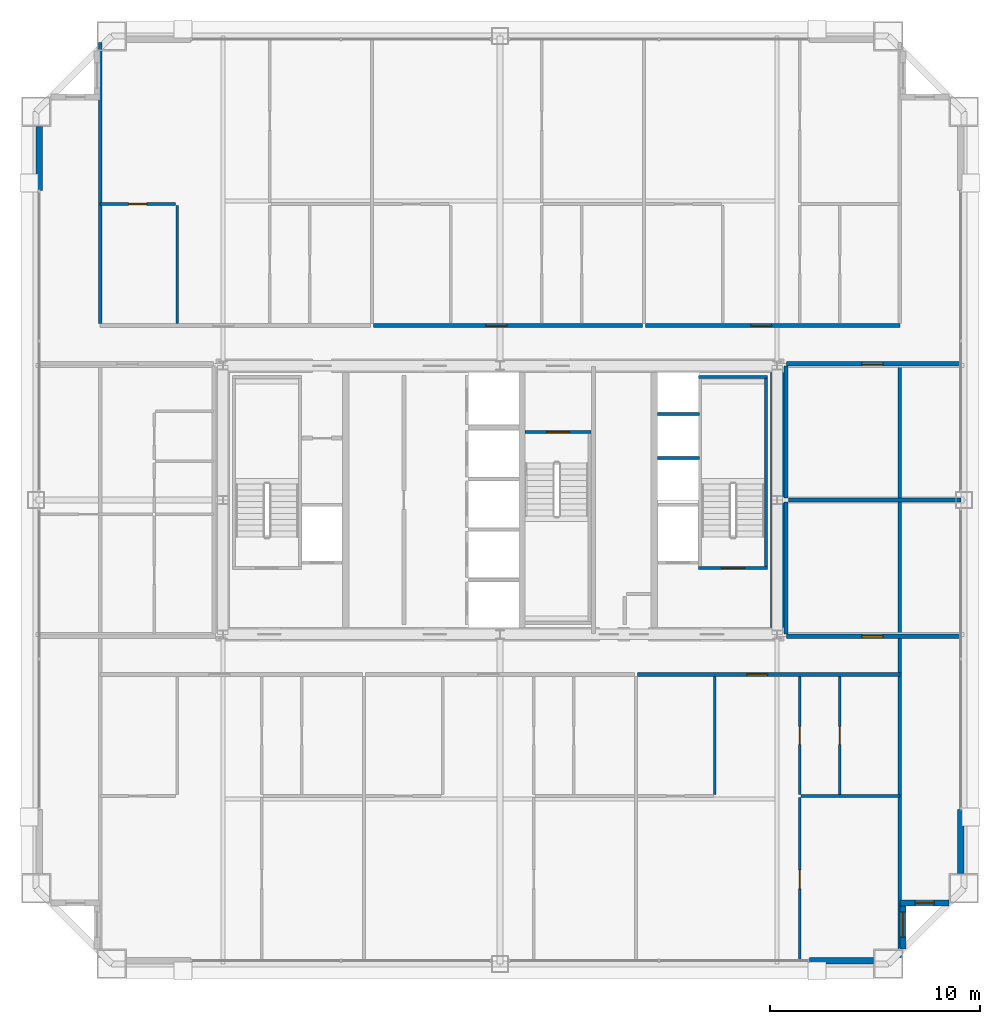
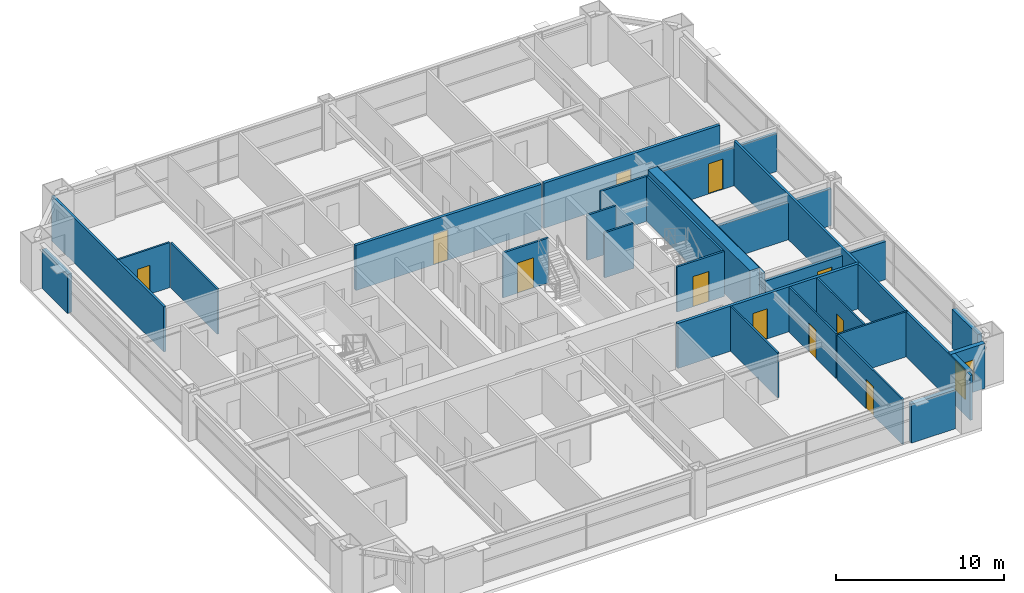
# One storey, part 35 of 38: 29 walls, 11 doors, 2 windows, 13 openings.
"""IFC4 building model written with IfcOpenShell, lengths in metres."""

from ifc_helpers import new_model, si_unit, direction, frame, frame_2d, origin, place, context, subcontext, project, spatial, rectangle, extrude, source, transform, mapped, material, layer, layer_set, type_object, element, fill, save


model = new_model("IFC4")

# Units and contexts
model_context = context("Model", 3, precision=1e-05, world=origin(), true_north=direction((0.0, 1.0)))
body_context = subcontext(model_context, "Body", "Model", "MODEL_VIEW")
ifc_project = project(units=[si_unit("LENGTHUNIT", "METRE"), si_unit("AREAUNIT", "SQUARE_METRE"), si_unit("VOLUMEUNIT", "CUBIC_METRE"), si_unit("PLANEANGLEUNIT", "RADIAN"), si_unit("MASSUNIT", "GRAM", prefix="KILO"), si_unit("THERMODYNAMICTEMPERATUREUNIT", "KELVIN"), si_unit("POWERUNIT", "WATT")], contexts=[model_context])

# Site, building, storey
site_placement = place(None, origin())
site = spatial("IfcSite", under=ifc_project, at=site_placement, CompositionType="ELEMENT")
building_placement = place(site_placement, origin())
building = spatial("IfcBuilding", under=site, at=building_placement, Name="Yuzanri Waterfront Tower", CompositionType="ELEMENT")
storey_placement = place(building_placement, frame((0.0, 0.0, 202.0)))
storey = spatial("IfcBuildingStorey", under=building, at=storey_placement, Name="L53", CompositionType="ELEMENT", Elevation=202.0)

# Wall, opening, door
ifc_material_1 = material(Name="Moisture-Resistant Gypsum Stud Wall", Category="gypsum")
ifc_layer_1 = layer(ifc_material_1, 0.1201171875)
ifc_layer_set_1 = layer_set([ifc_layer_1], Name="Moisture-Resistant Gypsum Stud Wall")
wall_type_1 = type_object("IfcWallType", Name="Bathroom and Kitchen Wet Partition 120", PredefinedType="PARTITIONING", material=ifc_layer_set_1)
wall_1_placement = place(storey_placement, frame((53.179931640625, 11.780029296875, 0.0), z_axis=(0.0, 0.0, 1.0), x_axis=(0.0, 1.0, 0.0)))
wall_1 = element("IfcWall", 1, at=wall_1_placement, inside=storey, type_object=wall_type_1, Name="L53 Partition UW-L53-RS3-SUB-2-W", PredefinedType="PARTITIONING", context=body_context, shape_type="SweptSolid", body=[
    extrude(rectangle(XDim=5.60986328125, YDim=0.1201171875, at=frame_2d((2.804931640625, 0.0))), origin(), (0.0, 0.0, 1.0), 3.280029296875),
])
opening_1_placement = place(wall_1_placement, frame((2.3798828125, 0.0, 0.0)))
opening_1 = element("IfcOpeningElement", 2, at=opening_1_placement, cuts=wall_1, Name="Opening ID-0850", PredefinedType="OPENING", context=body_context, shape_type="SweptSolid", body=[
    extrude(rectangle(XDim=0.85009765625, YDim=2.10009765625, at=frame_2d((0.425048828125, 1.050048828125))), frame((0.0, 0.074951171875, 0.0), z_axis=(0.0, -1.0, 0.0), x_axis=(1.0, 0.0, 0.0)), (0.0, 0.0, 1.0), 0.14990234375),
])
ifc_material_2 = material(Name="Moisture-Resistant Lacquered Timber", Category="wood")
door_type_1 = type_object("IfcDoorType", Name="En-Suite Bathroom and Kitchen Swing Door 850x2100", OperationType="NOTDEFINED", PredefinedType="DOOR", material=ifc_material_2)
shared_shape_1 = source(origin(), body_context, "Body", "SweptSolid", [
    extrude(rectangle(XDim=0.85009765625, YDim=2.10009765625, at=frame_2d((0.425048828125, 1.050048828125))), frame((0.0, 0.02490234375, 0.0), z_axis=(0.0, -1.0, 0.0), x_axis=(1.0, 0.0, 0.0)), (0.0, 0.0, 1.0), 0.050048828125),
])
door_1_placement = place(opening_1_placement, origin())
door_1 = element("IfcDoor", 3, at=door_1_placement, inside=storey, type_object=door_type_1, Name="L53 Suite Interior Room Door", OperationType="SINGLE_SWING_RIGHT", OverallHeight=2.10009765625, OverallWidth=0.85009765625, PredefinedType="DOOR", context=body_context, shape_type="MappedRepresentation", body=[
    mapped(shared_shape_1, transform((0.0, 0.0, 0.0), scale=1.0)),
])
fill(opening_1, door_1)

wall_2_placement = place(storey_placement, frame((51.26806640625, 3.85009765625, 0.0), z_axis=(0.0, 0.0, 1.0), x_axis=(0.0, 1.0, 0.0)))
wall_2 = element("IfcWall", 4, at=wall_2_placement, inside=storey, type_object=wall_type_1, Name="L53 Partition UW-L53-RS3-SUB-3-W", PredefinedType="PARTITIONING", context=body_context, shape_type="SweptSolid", body=[
    extrude(rectangle(XDim=7.77001953125, YDim=0.1201171875, at=frame_2d((3.885009765625, 0.0))), origin(), (0.0, 0.0, 1.0), 3.280029296875),
])
opening_2_placement = place(wall_2_placement, frame((3.43505859375, 0.0, 0.0)))
opening_2 = element("IfcOpeningElement", 5, at=opening_2_placement, cuts=wall_2, Name="Opening ID-0900", PredefinedType="OPENING", context=body_context, shape_type="SweptSolid", body=[
    extrude(rectangle(XDim=0.89990234375, YDim=2.14990234375, at=frame_2d((0.449951171875, 1.074951171875))), frame((0.0, 0.074951171875, 0.0), z_axis=(0.0, -1.0, 0.0), x_axis=(1.0, 0.0, 0.0)), (0.0, 0.0, 1.0), 0.14990234375),
])
ifc_material_3 = material(Name="Stained Walnut Veneer Timber", Category="wood")
door_type_2 = type_object("IfcDoorType", Name="Bedroom and Study Interior Swing Door 900x2150", OperationType="NOTDEFINED", PredefinedType="DOOR", material=ifc_material_3)
shared_shape_2 = source(origin(), body_context, "Body", "SweptSolid", [
    extrude(rectangle(XDim=0.89990234375, YDim=2.14990234375, at=frame_2d((0.449951171875, 1.074951171875))), frame((0.0, 0.02490234375, 0.0), z_axis=(0.0, -1.0, 0.0), x_axis=(1.0, 0.0, 0.0)), (0.0, 0.0, 1.0), 0.050048828125),
])
door_2_placement = place(opening_2_placement, origin())
door_2 = element("IfcDoor", 6, at=door_2_placement, inside=storey, type_object=door_type_2, Name="L53 Suite Interior Room Door", OperationType="SINGLE_SWING_LEFT", OverallHeight=2.14990234375, OverallWidth=0.89990234375, PredefinedType="DOOR", context=body_context, shape_type="MappedRepresentation", body=[
    mapped(shared_shape_2, transform((0.0, 0.0, 0.0), scale=1.0)),
])
fill(opening_2, door_2)

wall_3_placement = place(storey_placement, frame((51.26806640625, 11.780029296875, 0.0), z_axis=(0.0, 0.0, 1.0), x_axis=(0.0, 1.0, 0.0)))
wall_3 = element("IfcWall", 7, at=wall_3_placement, inside=storey, type_object=wall_type_1, Name="L53 Partition UW-L53-RS3-SUB-4-W", PredefinedType="PARTITIONING", context=body_context, shape_type="SweptSolid", body=[
    extrude(rectangle(XDim=5.60986328125, YDim=0.1201171875, at=frame_2d((2.804931640625, 0.0))), origin(), (0.0, 0.0, 1.0), 3.280029296875),
])
opening_3_placement = place(wall_3_placement, frame((2.3798828125, 0.0, 0.0)))
opening_3 = element("IfcOpeningElement", 8, at=opening_3_placement, cuts=wall_3, Name="Opening ID-0850", PredefinedType="OPENING", context=body_context, shape_type="SweptSolid", body=[
    extrude(rectangle(XDim=0.85009765625, YDim=2.10009765625, at=frame_2d((0.425048828125, 1.050048828125))), frame((0.0, 0.074951171875, 0.0), z_axis=(0.0, -1.0, 0.0), x_axis=(1.0, 0.0, 0.0)), (0.0, 0.0, 1.0), 0.14990234375),
])
door_3_placement = place(opening_3_placement, origin())
door_3 = element("IfcDoor", 9, at=door_3_placement, inside=storey, type_object=door_type_1, Name="L53 Suite Interior Room Door", OperationType="SINGLE_SWING_RIGHT", OverallHeight=2.10009765625, OverallWidth=0.85009765625, PredefinedType="DOOR", context=body_context, shape_type="MappedRepresentation", body=[
    mapped(shared_shape_1, transform((0.0, 0.0, 0.0), scale=1.0)),
])
fill(opening_3, door_3)

wall_4_placement = place(storey_placement, frame((17.93994140625, 39.89990234375, 0.0), z_axis=(0.0, 0.0, 1.0), x_axis=(1.0, 0.0, 0.0)))
wall_4 = element("IfcWall", 10, at=wall_4_placement, inside=storey, type_object=wall_type_1, Name="L53 Partition UW-L53-RN1-SUB-1-N", PredefinedType="PARTITIONING", context=body_context, shape_type="SweptSolid", body=[
    extrude(rectangle(XDim=3.60009765625, YDim=0.1201171875, at=frame_2d((1.800048828125, 0.0))), origin(), (0.0, 0.0, 1.0), 3.280029296875),
])
opening_4_placement = place(wall_4_placement, frame((1.375, 0.0, 0.0)))
opening_4 = element("IfcOpeningElement", 11, at=opening_4_placement, cuts=wall_4, Name="Opening ID-0850", PredefinedType="OPENING", context=body_context, shape_type="SweptSolid", body=[
    extrude(rectangle(XDim=0.85009765625, YDim=2.10009765625, at=frame_2d((0.425048828125, 1.050048828125))), frame((0.0, 0.074951171875, 0.0), z_axis=(0.0, -1.0, 0.0), x_axis=(1.0, 0.0, 0.0)), (0.0, 0.0, 1.0), 0.14990234375),
])
door_4_placement = place(opening_4_placement, origin())
door_4 = element("IfcDoor", 12, at=door_4_placement, inside=storey, type_object=door_type_1, Name="L53 Suite Interior Room Door", OperationType="SINGLE_SWING_RIGHT", OverallHeight=2.10009765625, OverallWidth=0.85009765625, PredefinedType="DOOR", context=body_context, shape_type="MappedRepresentation", body=[
    mapped(shared_shape_1, transform((0.0, 0.0, 0.0), scale=1.0)),
])
fill(opening_4, door_4)

# Wall, opening, window
ifc_material_4 = material(Name="Honed Chongqing Dark Basalt Stone", Category="masonry")
ifc_layer_2 = layer(ifc_material_4, 0.300048828125)
ifc_layer_set_2 = layer_set([ifc_layer_2], Name="Honed Chongqing Dark Basalt Stone")
wall_type_2 = type_object("IfcWallType", Name="Bronze Rainscreen Insulated Spandrel Portal Wall 300", PredefinedType="SOLIDWALL", material=ifc_layer_set_2)
wall_5_placement = place(storey_placement, frame((56.050048828125, 6.60009765625, 0.0), z_axis=(0.0, 0.0, 1.0), x_axis=(1.0, 0.0, 0.0)))
wall_5 = element("IfcWall", 13, at=wall_5_placement, inside=storey, type_object=wall_type_2, Name="L53 Notched Corner Masonry Wall SE-X", PredefinedType="SOLIDWALL", context=body_context, shape_type="SweptSolid", body=[
    extrude(rectangle(XDim=2.349853515625, YDim=0.300048828125, at=frame_2d((1.1748046875, 0.0))), origin(), (0.0, 0.0, 1.0), 3.280029296875),
])
opening_5_placement = place(wall_5_placement, frame((0.72509765625, 0.0, 0.85009765625)))
opening_5 = element("IfcOpeningElement", 14, at=opening_5_placement, cuts=wall_5, Name="Opening WN-05", PredefinedType="OPENING", context=body_context, shape_type="SweptSolid", body=[
    extrude(rectangle(XDim=0.89990234375, YDim=1.5, at=frame_2d((0.449951171875, 0.75))), frame((0.0, 0.1650390625, 0.0), z_axis=(0.0, -1.0, 0.0), x_axis=(1.0, 0.0, 0.0)), (0.0, 0.0, 1.0), 0.329833984375),
])
ifc_material_5 = material(Name="Double-Silver Low-E Insulated Glass", Category="glass")
window_type_1 = type_object("IfcWindowType", Name="Anodized Bronze Service and Stairwell Smoke-Vent Window 900x1500", PartitioningType="SINGLE_PANEL", PredefinedType="WINDOW", material=ifc_material_5)
shared_shape_3 = source(origin(), body_context, "Body", "SweptSolid", [
    extrude(rectangle(XDim=0.89990234375, YDim=1.5, at=frame_2d((0.449951171875, 0.75))), frame((0.0, 0.030029296875, 0.0), z_axis=(0.0, -1.0, 0.0), x_axis=(1.0, 0.0, 0.0)), (0.0, 0.0, 1.0), 0.06005859375),
])
window_1_placement = place(opening_5_placement, origin())
window_1 = element("IfcWindow", 15, at=window_1_placement, inside=storey, type_object=window_type_1, Name="L53 Notched Corner Window SE-X", OverallHeight=1.5, OverallWidth=0.89990234375, PartitioningType="SINGLE_PANEL", PredefinedType="WINDOW", context=body_context, shape_type="MappedRepresentation", body=[
    mapped(shared_shape_3, transform((0.0, 0.0, 0.0), scale=1.0)),
])
fill(opening_5, window_1)

wall_6_placement = place(storey_placement, frame((56.199951171875, 4.39990234375, 0.0), z_axis=(0.0, 0.0, 1.0), x_axis=(0.0, 1.0, 0.0)))
wall_6 = element("IfcWall", 16, at=wall_6_placement, inside=storey, type_object=wall_type_2, Name="L53 Notched Corner Masonry Wall SE-Y", PredefinedType="SOLIDWALL", context=body_context, shape_type="SweptSolid", body=[
    extrude(rectangle(XDim=2.35009765625, YDim=0.300048828125, at=frame_2d((1.175048828125, 0.0))), origin(), (0.0, 0.0, 1.0), 3.280029296875),
])
opening_6_placement = place(wall_6_placement, frame((0.574951171875, 0.0, 0.85009765625)))
opening_6 = element("IfcOpeningElement", 17, at=opening_6_placement, cuts=wall_6, Name="Opening WN-02", PredefinedType="OPENING", context=body_context, shape_type="SweptSolid", body=[
    extrude(rectangle(XDim=1.199951171875, YDim=2.10009765625, at=frame_2d((0.60009765625, 1.050048828125))), frame((0.0, 0.1650390625, 0.0), z_axis=(0.0, -1.0, 0.0), x_axis=(1.0, 0.0, 0.0)), (0.0, 0.0, 1.0), 0.329833984375),
])
ifc_material_6 = material(Name="Double-Silver Low-E Insulated Glass", Category="glass")
window_type_2 = type_object("IfcWindowType", Name="Anodized Bronze Notched Corner Deep-Set Slot Window 1200x2100", PartitioningType="SINGLE_PANEL", PredefinedType="WINDOW", material=ifc_material_6)
shared_shape_4 = source(origin(), body_context, "Body", "SweptSolid", [
    extrude(rectangle(XDim=1.199951171875, YDim=2.10009765625, at=frame_2d((0.60009765625, 1.050048828125))), frame((0.0, 0.030029296875, 0.0), z_axis=(0.0, -1.0, 0.0), x_axis=(1.0, 0.0, 0.0)), (0.0, 0.0, 1.0), 0.06005859375),
])
window_2_placement = place(opening_6_placement, origin())
window_2 = element("IfcWindow", 18, at=window_2_placement, inside=storey, type_object=window_type_2, Name="L53 Notched Corner Window SE-Y", OverallHeight=2.10009765625, OverallWidth=1.199951171875, PartitioningType="SINGLE_PANEL", PredefinedType="WINDOW", context=body_context, shape_type="MappedRepresentation", body=[
    mapped(shared_shape_4, transform((0.0, 0.0, 0.0), scale=1.0)),
])
fill(opening_6, window_2)

# Wall, opening, door
ifc_material_7 = material(Name="Concrete C40", Category="concrete")
ifc_layer_3 = layer(ifc_material_7, 0.139892578125)
ifc_layer_set_3 = layer_set([ifc_layer_3], Name="Concrete C40")
wall_type_3 = type_object("IfcWallType", Name="Core Stair Liner and Hoistway Shaft Wall 140", PredefinedType="SOLIDWALL", material=ifc_layer_set_3)
wall_7_placement = place(storey_placement, frame((46.4599609375, 22.570068359375, 0.0), z_axis=(0.0, 0.0, 1.0), x_axis=(1.0, 0.0, 0.0)))
wall_7 = element("IfcWall", 19, at=wall_7_placement, inside=storey, type_object=wall_type_3, Name="L53 Shaft Wall STW-L53-ST-02-S", PredefinedType="SOLIDWALL", context=body_context, shape_type="SweptSolid", body=[
    extrude(rectangle(XDim=3.280029296875, YDim=0.139892578125, at=frame_2d((1.64013671875, 0.0))), origin(), (0.0, 0.0, 1.0), 3.280029296875),
])
opening_7_placement = place(wall_7_placement, frame((1.090087890625, 0.0, 0.0)))
opening_7 = element("IfcOpeningElement", 20, at=opening_7_placement, cuts=wall_7, Name="Opening FD-1100", PredefinedType="OPENING", context=body_context, shape_type="SweptSolid", body=[
    extrude(rectangle(XDim=1.10009765625, YDim=2.199951171875, at=frame_2d((0.550048828125, 1.10009765625))), frame((0.0, 0.0849609375, 0.0), z_axis=(0.0, -1.0, 0.0), x_axis=(1.0, 0.0, 0.0)), (0.0, 0.0, 1.0), 0.169677734375),
])
ifc_material_8 = material(Name="Painted Galvanized Fire Steel", Category="steel")
door_type_3 = type_object("IfcDoorType", Name="Smoke-Proof Stair and Lobby Fire Door 1100x2200", OperationType="NOTDEFINED", PredefinedType="DOOR", material=ifc_material_8)
shared_shape_5 = source(origin(), body_context, "Body", "SweptSolid", [
    extrude(rectangle(XDim=1.10009765625, YDim=2.199951171875, at=frame_2d((0.550048828125, 1.10009765625))), frame((0.0, 0.02490234375, 0.0), z_axis=(0.0, -1.0, 0.0), x_axis=(1.0, 0.0, 0.0)), (0.0, 0.0, 1.0), 0.050048828125),
])
door_5_placement = place(opening_7_placement, origin())
door_5 = element("IfcDoor", 21, at=door_5_placement, inside=storey, type_object=door_type_3, Name="L53 Stair ST-02 Fire Door", OperationType="SINGLE_SWING_RIGHT", OverallHeight=2.199951171875, OverallWidth=1.10009765625, PredefinedType="DOOR", context=body_context, shape_type="MappedRepresentation", body=[
    mapped(shared_shape_5, transform((0.0, 0.0, 0.0), scale=1.0)),
])
fill(opening_7, door_5)

wall_8_placement = place(storey_placement, frame((38.199951171875, 29.030029296875, 0.0), z_axis=(0.0, 0.0, 1.0), x_axis=(1.0, 0.0, 0.0)))
wall_8 = element("IfcWall", 22, at=wall_8_placement, inside=storey, type_object=wall_type_3, Name="L53 Shaft Wall STW-L53-ST-03-N", PredefinedType="SOLIDWALL", context=body_context, shape_type="SweptSolid", body=[
    extrude(rectangle(XDim=3.14013671875, YDim=0.139892578125, at=frame_2d((1.570068359375, 0.0))), origin(), (0.0, 0.0, 1.0), 3.280029296875),
])
opening_8_placement = place(wall_8_placement, frame((1.02001953125, 0.0, 0.0)))
opening_8 = element("IfcOpeningElement", 23, at=opening_8_placement, cuts=wall_8, Name="Opening FD-1100", PredefinedType="OPENING", context=body_context, shape_type="SweptSolid", body=[
    extrude(rectangle(XDim=1.10009765625, YDim=2.199951171875, at=frame_2d((0.550048828125, 1.10009765625))), frame((0.0, 0.0849609375, 0.0), z_axis=(0.0, -1.0, 0.0), x_axis=(1.0, 0.0, 0.0)), (0.0, 0.0, 1.0), 0.169677734375),
])
door_6_placement = place(opening_8_placement, origin())
door_6 = element("IfcDoor", 24, at=door_6_placement, inside=storey, type_object=door_type_3, Name="L53 Stair ST-03 Fire Door", OperationType="SINGLE_SWING_LEFT", OverallHeight=2.199951171875, OverallWidth=1.10009765625, PredefinedType="DOOR", context=body_context, shape_type="MappedRepresentation", body=[
    mapped(shared_shape_5, transform((0.0, 0.0, 0.0), scale=1.0)),
])
fill(opening_8, door_6)

ifc_material_9 = material(Name="Autoclaved Aerated Concrete Blockwork", Category="masonry")
ifc_layer_4 = layer(ifc_material_9, 0.199951171875)
ifc_layer_set_4 = layer_set([ifc_layer_4], Name="Autoclaved Aerated Concrete Blockwork")
wall_type_4 = type_object("IfcWallType", Name="Corridor and Unit Party Fire Wall 200", PredefinedType="PARTITIONING", material=ifc_layer_set_4)
wall_9_placement = place(storey_placement, frame((43.56005859375, 17.489990234375, 0.0), z_axis=(0.0, 0.0, 1.0), x_axis=(1.0, 0.0, 0.0)))
wall_9 = element("IfcWall", 25, at=wall_9_placement, inside=storey, type_object=wall_type_4, Name="L53 Partition UW-L53-RS3-CN", PredefinedType="PARTITIONING", context=body_context, shape_type="SweptSolid", body=[
    extrude(rectangle(XDim=12.5, YDim=0.199951171875, at=frame_2d((6.25, 0.0))), origin(), (0.0, 0.0, 1.0), 3.280029296875),
])
opening_9_placement = place(wall_9_placement, frame((5.194091796875, 0.0, 0.0)))
opening_9 = element("IfcOpeningElement", 26, at=opening_9_placement, cuts=wall_9, Name="Opening FD-1000", PredefinedType="OPENING", context=body_context, shape_type="SweptSolid", body=[
    extrude(rectangle(XDim=1.0, YDim=2.199951171875, at=frame_2d((0.5, 1.10009765625))), frame((0.0, 0.11474609375, 0.0), z_axis=(0.0, -1.0, 0.0), x_axis=(1.0, 0.0, 0.0)), (0.0, 0.0, 1.0), 0.229736328125),
])
ifc_material_10 = material(Name="Engineered Oak Fire-Rated Timber", Category="wood")
door_type_4 = type_object("IfcDoorType", Name="Guestroom and Apartment Entrance Fire Door 1000x2200", OperationType="NOTDEFINED", PredefinedType="DOOR", material=ifc_material_10)
shared_shape_6 = source(origin(), body_context, "Body", "SweptSolid", [
    extrude(rectangle(XDim=1.0, YDim=2.199951171875, at=frame_2d((0.5, 1.10009765625))), frame((0.0, 0.02490234375, 0.0), z_axis=(0.0, -1.0, 0.0), x_axis=(1.0, 0.0, 0.0)), (0.0, 0.0, 1.0), 0.050048828125),
])
door_7_placement = place(opening_9_placement, origin())
door_7 = element("IfcDoor", 27, at=door_7_placement, inside=storey, type_object=door_type_4, Name="L53 Apartment Living Room Entrance Door", OperationType="SINGLE_SWING_RIGHT", OverallHeight=2.199951171875, OverallWidth=1.0, PredefinedType="DOOR", context=body_context, shape_type="MappedRepresentation", body=[
    mapped(shared_shape_6, transform((0.0, 0.0, 0.0), scale=1.0)),
])
fill(opening_9, door_7)

wall_10_placement = place(storey_placement, frame((30.98095703125, 34.110107421875, 0.0), z_axis=(0.0, 0.0, 1.0), x_axis=(1.0, 0.0, 0.0)))
wall_10 = element("IfcWall", 28, at=wall_10_placement, inside=storey, type_object=wall_type_4, Name="L53 Partition UW-L53-RN2-CS", PredefinedType="PARTITIONING", context=body_context, shape_type="SweptSolid", body=[
    extrude(rectangle(XDim=12.801025390625, YDim=0.199951171875, at=frame_2d((6.400390625, 0.0))), origin(), (0.0, 0.0, 1.0), 3.280029296875),
])
opening_10_placement = place(wall_10_placement, frame((5.343994140625, 0.0, 0.0)))
opening_10 = element("IfcOpeningElement", 29, at=opening_10_placement, cuts=wall_10, Name="Opening FD-1000", PredefinedType="OPENING", context=body_context, shape_type="SweptSolid", body=[
    extrude(rectangle(XDim=1.0, YDim=2.199951171875, at=frame_2d((0.5, 1.10009765625))), frame((0.0, 0.11474609375, 0.0), z_axis=(0.0, -1.0, 0.0), x_axis=(1.0, 0.0, 0.0)), (0.0, 0.0, 1.0), 0.229736328125),
])
door_8_placement = place(opening_10_placement, origin())
door_8 = element("IfcDoor", 30, at=door_8_placement, inside=storey, type_object=door_type_4, Name="L53 Apartment Living Room Entrance Door", OperationType="SINGLE_SWING_RIGHT", OverallHeight=2.199951171875, OverallWidth=1.0, PredefinedType="DOOR", context=body_context, shape_type="MappedRepresentation", body=[
    mapped(shared_shape_6, transform((0.0, 0.0, 0.0), scale=1.0)),
])
fill(opening_10, door_8)

wall_11_placement = place(storey_placement, frame((43.94189453125, 34.110107421875, 0.0), z_axis=(0.0, 0.0, 1.0), x_axis=(1.0, 0.0, 0.0)))
wall_11 = element("IfcWall", 31, at=wall_11_placement, inside=storey, type_object=wall_type_4, Name="L53 Partition UW-L53-RN3-CS", PredefinedType="PARTITIONING", context=body_context, shape_type="SweptSolid", body=[
    extrude(rectangle(XDim=12.1181640625, YDim=0.199951171875, at=frame_2d((6.05908203125, 0.0))), origin(), (0.0, 0.0, 1.0), 3.280029296875),
])
opening_11_placement = place(wall_11_placement, frame((5.0029296875, 0.0, 0.0)))
opening_11 = element("IfcOpeningElement", 32, at=opening_11_placement, cuts=wall_11, Name="Opening FD-1000", PredefinedType="OPENING", context=body_context, shape_type="SweptSolid", body=[
    extrude(rectangle(XDim=1.0, YDim=2.199951171875, at=frame_2d((0.5, 1.10009765625))), frame((0.0, 0.11474609375, 0.0), z_axis=(0.0, -1.0, 0.0), x_axis=(1.0, 0.0, 0.0)), (0.0, 0.0, 1.0), 0.229736328125),
])
door_9_placement = place(opening_11_placement, origin())
door_9 = element("IfcDoor", 33, at=door_9_placement, inside=storey, type_object=door_type_4, Name="L53 Apartment Living Room Entrance Door", OperationType="SINGLE_SWING_LEFT", OverallHeight=2.199951171875, OverallWidth=1.0, PredefinedType="DOOR", context=body_context, shape_type="MappedRepresentation", body=[
    mapped(shared_shape_6, transform((0.0, 0.0, 0.0), scale=1.0)),
])
fill(opening_11, door_9)

wall_12_placement = place(storey_placement, frame((50.64990234375, 19.31005859375, 0.0), z_axis=(0.0, 0.0, 1.0), x_axis=(1.0, 0.0, 0.0)))
wall_12 = element("IfcWall", 34, at=wall_12_placement, inside=storey, type_object=wall_type_4, Name="L53 Partition UW-L53-050-CS", PredefinedType="PARTITIONING", context=body_context, shape_type="SweptSolid", body=[
    extrude(rectangle(XDim=8.300048828125, YDim=0.199951171875, at=frame_2d((4.14990234375, 0.0))), origin(), (0.0, 0.0, 1.0), 2.77490234375),
])
opening_12_placement = place(wall_12_placement, frame((3.5849609375, 0.0, 0.0)))
opening_12 = element("IfcOpeningElement", 35, at=opening_12_placement, cuts=wall_12, Name="Opening FD-1000", PredefinedType="OPENING", context=body_context, shape_type="SweptSolid", body=[
    extrude(rectangle(XDim=1.0, YDim=2.199951171875, at=frame_2d((0.5, 1.10009765625))), frame((0.0, 0.11474609375, 0.0), z_axis=(0.0, -1.0, 0.0), x_axis=(1.0, 0.0, 0.0)), (0.0, 0.0, 1.0), 0.229736328125),
])
door_10_placement = place(opening_12_placement, origin())
door_10 = element("IfcDoor", 36, at=door_10_placement, inside=storey, type_object=door_type_4, Name="L53 Residents E Co-Working Office 1 Entrance Door", OperationType="SINGLE_SWING_LEFT", OverallHeight=2.199951171875, OverallWidth=1.0, PredefinedType="DOOR", context=body_context, shape_type="MappedRepresentation", body=[
    mapped(shared_shape_6, transform((0.0, 0.0, 0.0), scale=1.0)),
])
fill(opening_12, door_10)

wall_13_placement = place(storey_placement, frame((50.64990234375, 32.2900390625, 0.0), z_axis=(0.0, 0.0, 1.0), x_axis=(1.0, 0.0, 0.0)))
wall_13 = element("IfcWall", 37, at=wall_13_placement, inside=storey, type_object=wall_type_4, Name="L53 Partition UW-L53-051-CN", PredefinedType="PARTITIONING", context=body_context, shape_type="SweptSolid", body=[
    extrude(rectangle(XDim=8.300048828125, YDim=0.199951171875, at=frame_2d((4.14990234375, 0.0))), origin(), (0.0, 0.0, 1.0), 2.77490234375),
])
opening_13_placement = place(wall_13_placement, frame((3.5849609375, 0.0, 0.0)))
opening_13 = element("IfcOpeningElement", 38, at=opening_13_placement, cuts=wall_13, Name="Opening FD-1000", PredefinedType="OPENING", context=body_context, shape_type="SweptSolid", body=[
    extrude(rectangle(XDim=1.0, YDim=2.199951171875, at=frame_2d((0.5, 1.10009765625))), frame((0.0, 0.11474609375, 0.0), z_axis=(0.0, -1.0, 0.0), x_axis=(1.0, 0.0, 0.0)), (0.0, 0.0, 1.0), 0.229736328125),
])
door_11_placement = place(opening_13_placement, origin())
door_11 = element("IfcDoor", 39, at=door_11_placement, inside=storey, type_object=door_type_4, Name="L53 Residents E Executive Office 2 Entrance Door", OperationType="SINGLE_SWING_RIGHT", OverallHeight=2.199951171875, OverallWidth=1.0, PredefinedType="DOOR", context=body_context, shape_type="MappedRepresentation", body=[
    mapped(shared_shape_6, transform((0.0, 0.0, 0.0), scale=1.0)),
])
fill(opening_13, door_11)

# Walls
ifc_material_11 = material(Name="Concrete C50", Category="concrete")
ifc_layer_5 = layer(ifc_material_11, 0.64990234375)
ifc_layer_set_5 = layer_set([ifc_layer_5], Name="Concrete C50")
wall_type_5 = type_object("IfcWallType", Name="Concrete C50 Mid Zone Core Shear Wall 650", PredefinedType="SHEAR", material=ifc_layer_set_5)
shared_shape_7 = source(origin(), body_context, "Body", "SweptSolid", [
    extrude(rectangle(XDim=12.14990234375, YDim=0.64990234375, at=frame_2d((6.074951171875, 0.0))), origin(), (0.0, 0.0, 1.0), 3.5),
])
wall_14_placement = place(storey_placement, frame((50.199951171875, 19.72509765625, 0.0), z_axis=(0.0, 0.0, 1.0), x_axis=(0.0, 1.0, 0.0)))
element("IfcWall", 40, at=wall_14_placement, inside=storey, type_object=wall_type_5, Name="L53 Core East Shear Wall", PredefinedType="SHEAR", context=body_context, shape_type="MappedRepresentation", body=[
    mapped(shared_shape_7, transform((0.0, 0.0, 0.0), scale=1.0)),
])
shared_shape_8 = source(origin(), body_context, "Body", "SweptSolid", [
    extrude(rectangle(XDim=3.050048828125, YDim=0.300048828125, at=frame_2d((1.52490234375, 0.0))), origin(), (0.0, 0.0, 1.0), 2.8349609375),
])
for number, where, z_axis, x_axis, name in (
    (41, (51.75, 3.85009765625, 0.0), (0.0, 0.0, 1.0), (1.0, 0.0, 0.0), "L53 S Right Braced Masonry Shoulder"),
    (42, (15.050048828125, 40.550048828125, 0.0), (0.0, 0.0, 1.0), (0.0, 1.0, 0.0), "L53 W Right Braced Masonry Shoulder"),
    (43, (58.949951171875, 8.0, 0.0), (0.0, 0.0, 1.0), (0.0, 1.0, 0.0), "L53 E Left Braced Masonry Shoulder"),
):
    element("IfcWall", number, at=place(storey_placement, frame(where, z_axis=z_axis, x_axis=x_axis)), inside=storey, type_object=wall_type_2, Name=name, PredefinedType="SOLIDWALL", context=body_context, shape_type="MappedRepresentation", body=[
        mapped(shared_shape_8, transform((0.0, 0.0, 0.0), scale=1.0)),
    ])
shared_shape_9 = source(origin(), body_context, "Body", "SweptSolid", [
    extrude(rectangle(XDim=2.0, YDim=0.139892578125, at=frame_2d((1.0, 0.0))), origin(), (0.0, 0.0, 1.0), 3.280029296875),
])
for number, where, z_axis, x_axis, name in (
    (44, (44.5, 27.800048828125, 0.0), (0.0, 0.0, 1.0), (1.0, 0.0, 0.0), "L53 Lift PL-09 Divider Wall"),
    (45, (44.5, 29.89990234375, 0.0), (0.0, 0.0, 1.0), (1.0, 0.0, 0.0), "L53 Lift PL-10 Divider Wall"),
):
    element("IfcWall", number, at=place(storey_placement, frame(where, z_axis=z_axis, x_axis=x_axis)), inside=storey, type_object=wall_type_3, Name=name, PredefinedType="SOLIDWALL", context=body_context, shape_type="MappedRepresentation", body=[
        mapped(shared_shape_9, transform((0.0, 0.0, 0.0), scale=1.0)),
    ])
shared_shape_10 = source(origin(), body_context, "Body", "SweptSolid", [
    extrude(rectangle(XDim=3.280029296875, YDim=0.139892578125, at=frame_2d((1.64013671875, 0.0))), origin(), (0.0, 0.0, 1.0), 3.280029296875),
])
wall_15_placement = place(storey_placement, frame((46.4599609375, 31.64990234375, 0.0), z_axis=(0.0, 0.0, 1.0), x_axis=(1.0, 0.0, 0.0)))
element("IfcWall", 46, at=wall_15_placement, inside=storey, type_object=wall_type_3, Name="L53 Stair ST-02 North Shaft Wall", PredefinedType="SOLIDWALL", context=body_context, shape_type="MappedRepresentation", body=[
    mapped(shared_shape_10, transform((0.0, 0.0, 0.0), scale=1.0)),
])
shared_shape_11 = source(origin(), body_context, "Body", "SweptSolid", [
    extrude(rectangle(XDim=8.940185546875, YDim=0.139892578125, at=frame_2d((4.47021484375, 0.0))), origin(), (0.0, 0.0, 1.0), 3.280029296875),
])
wall_16_placement = place(storey_placement, frame((49.669921875, 22.639892578125, 0.0), z_axis=(0.0, 0.0, 1.0), x_axis=(0.0, 1.0, 0.0)))
element("IfcWall", 47, at=wall_16_placement, inside=storey, type_object=wall_type_3, Name="L53 Stair ST-02 East Shaft Wall", PredefinedType="SOLIDWALL", context=body_context, shape_type="MappedRepresentation", body=[
    mapped(shared_shape_11, transform((0.0, 0.0, 0.0), scale=1.0)),
])
ifc_material_12 = material(Name="Gypsum Fireboard Acoustic Stud Wall", Category="gypsum")
ifc_layer_6 = layer(ifc_material_12, 0.159912109375)
ifc_layer_set_6 = layer_set([ifc_layer_6], Name="Gypsum Fireboard Acoustic Stud Wall")
wall_type_6 = type_object("IfcWallType", Name="Acoustic Suite Demising Partition 160", PredefinedType="PARTITIONING", material=ifc_layer_set_6)
shared_shape_12 = source(origin(), body_context, "Body", "SweptSolid", [
    extrude(rectangle(XDim=13.39013671875, YDim=0.159912109375, at=frame_2d((6.695068359375, 0.0))), origin(), (0.0, 0.0, 1.0), 3.280029296875),
])
wall_17_placement = place(storey_placement, frame((17.949951171875, 34.2099609375, 0.0), z_axis=(0.0, 0.0, 1.0), x_axis=(0.0, 1.0, 0.0)))
element("IfcWall", 48, at=wall_17_placement, inside=storey, type_object=wall_type_6, Name="L53 North Band West End Wall", PredefinedType="PARTITIONING", context=body_context, shape_type="MappedRepresentation", body=[
    mapped(shared_shape_12, transform((0.0, 0.0, 0.0), scale=1.0)),
])
shared_shape_13 = source(origin(), body_context, "Body", "SweptSolid", [
    extrude(rectangle(XDim=5.60986328125, YDim=0.1201171875, at=frame_2d((2.804931640625, 0.0))), origin(), (0.0, 0.0, 1.0), 3.280029296875),
])
wall_18_placement = place(storey_placement, frame((47.239990234375, 11.780029296875, 0.0), z_axis=(0.0, 0.0, 1.0), x_axis=(0.0, 1.0, 0.0)))
element("IfcWall", 49, at=wall_18_placement, inside=storey, type_object=wall_type_1, Name="L53 Partition UW-L53-RS3-SUB-1-E", PredefinedType="PARTITIONING", context=body_context, shape_type="MappedRepresentation", body=[
    mapped(shared_shape_13, transform((0.0, 0.0, 0.0), scale=1.0)),
])
shared_shape_14 = source(origin(), body_context, "Body", "SweptSolid", [
    extrude(rectangle(XDim=5.610107421875, YDim=0.1201171875, at=frame_2d((2.80517578125, 0.0))), origin(), (0.0, 0.0, 1.0), 3.280029296875),
])
wall_19_placement = place(storey_placement, frame((21.6201171875, 34.2099609375, 0.0), z_axis=(0.0, 0.0, 1.0), x_axis=(0.0, 1.0, 0.0)))
element("IfcWall", 50, at=wall_19_placement, inside=storey, type_object=wall_type_1, Name="L53 Partition UW-L53-RN1-SUB-1-E", PredefinedType="PARTITIONING", context=body_context, shape_type="MappedRepresentation", body=[
    mapped(shared_shape_14, transform((0.0, 0.0, 0.0), scale=1.0)),
])
shared_shape_15 = source(origin(), body_context, "Body", "SweptSolid", [
    extrude(rectangle(XDim=8.21484375, YDim=0.199951171875, at=frame_2d((4.107421875, 0.0))), origin(), (0.0, 0.0, 1.0), 2.68701171875),
])
wall_20_placement = place(storey_placement, frame((50.735107421875, 25.800048828125, 0.0), z_axis=(0.0, 0.0, 1.0), x_axis=(1.0, 0.0, 0.0)))
element("IfcWall", 51, at=wall_20_placement, inside=storey, type_object=wall_type_4, Name="L53-050 Wing North Wall", PredefinedType="PARTITIONING", context=body_context, shape_type="MappedRepresentation", body=[
    mapped(shared_shape_15, transform((0.0, 0.0, 0.0), scale=1.0)),
])
shared_shape_16 = source(origin(), body_context, "Body", "SweptSolid", [
    extrude(rectangle(XDim=6.2900390625, YDim=0.199951171875, at=frame_2d((3.14501953125, 0.0))), origin(), (0.0, 0.0, 1.0), 3.280029296875),
])
for number, where, z_axis, x_axis, name in (
    (52, (50.6298828125, 19.409912109375, 0.0), (0.0, 0.0, 1.0), (0.0, 1.0, 0.0), "L53-050 Wing Inner Core-Side Wall"),
    (53, (50.6298828125, 25.89990234375, 0.0), (0.0, 0.0, 1.0), (0.0, 1.0, 0.0), "L53-051 Wing Inner Core-Side Wall"),
):
    element("IfcWall", number, at=place(storey_placement, frame(where, z_axis=z_axis, x_axis=x_axis)), inside=storey, type_object=wall_type_4, Name=name, PredefinedType="PARTITIONING", context=body_context, shape_type="MappedRepresentation", body=[
        mapped(shared_shape_16, transform((0.0, 0.0, 0.0), scale=1.0)),
    ])
shared_shape_17 = source(origin(), body_context, "Body", "SweptSolid", [
    extrude(rectangle(XDim=28.18994140625, YDim=0.159912109375, at=frame_2d((14.094970703125, 0.0))), origin(), (0.0, 0.0, 1.0), 3.280029296875),
])
wall_21_placement = place(storey_placement, frame((56.050048828125, 4.0, 0.0), z_axis=(0.0, 0.0, 1.0), x_axis=(0.0, 1.0, 0.0)))
element("IfcWall", 54, at=wall_21_placement, inside=storey, type_object=wall_type_6, Name="L53 South Band East End Wall", PredefinedType="PARTITIONING", context=body_context, shape_type="MappedRepresentation", body=[
    mapped(shared_shape_17, transform((0.0, 0.0, 0.0), scale=1.0)),
])
shared_shape_18 = source(origin(), body_context, "Body", "SweptSolid", [
    extrude(rectangle(XDim=4.712158203125, YDim=0.1201171875, at=frame_2d((2.35595703125, 0.0))), origin(), (0.0, 0.0, 1.0), 3.280029296875),
])
wall_22_placement = place(storey_placement, frame((51.347900390625, 11.699951171875, 0.0), z_axis=(0.0, 0.0, 1.0), x_axis=(1.0, 0.0, 0.0)))
element("IfcWall", 55, at=wall_22_placement, inside=storey, type_object=wall_type_1, Name="L53 Partition UW-L53-RS3-SUB-3-N", PredefinedType="PARTITIONING", context=body_context, shape_type="MappedRepresentation", body=[
    mapped(shared_shape_18, transform((0.0, 0.0, 0.0), scale=1.0)),
])

save(model, "model.ifc")
